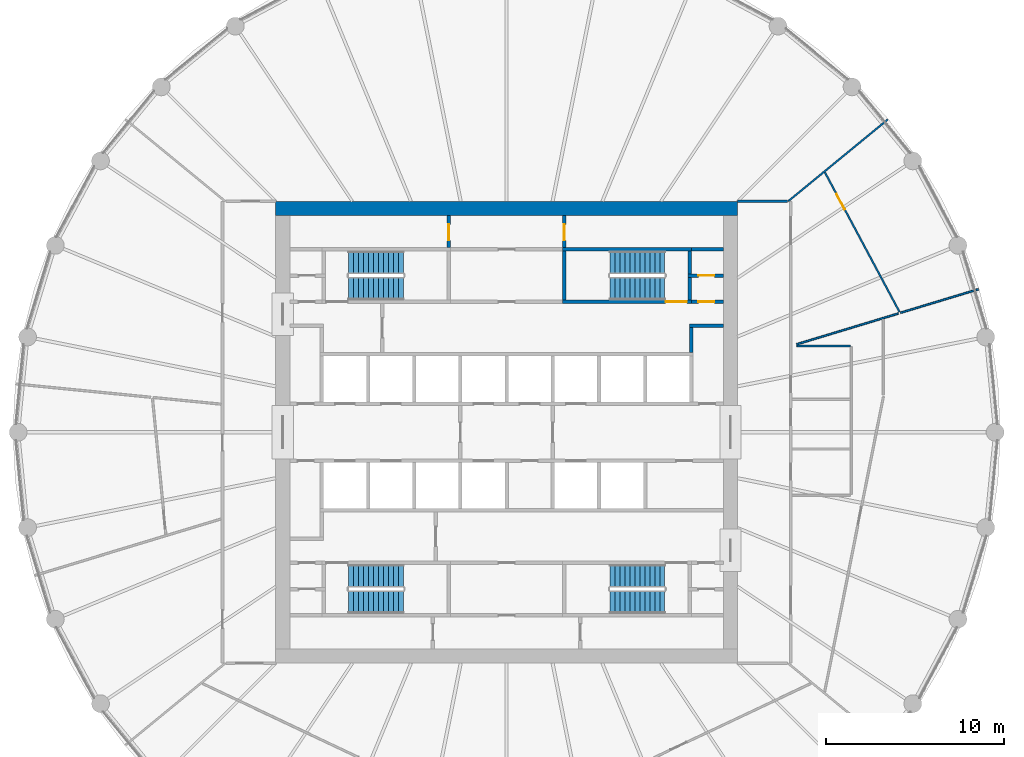
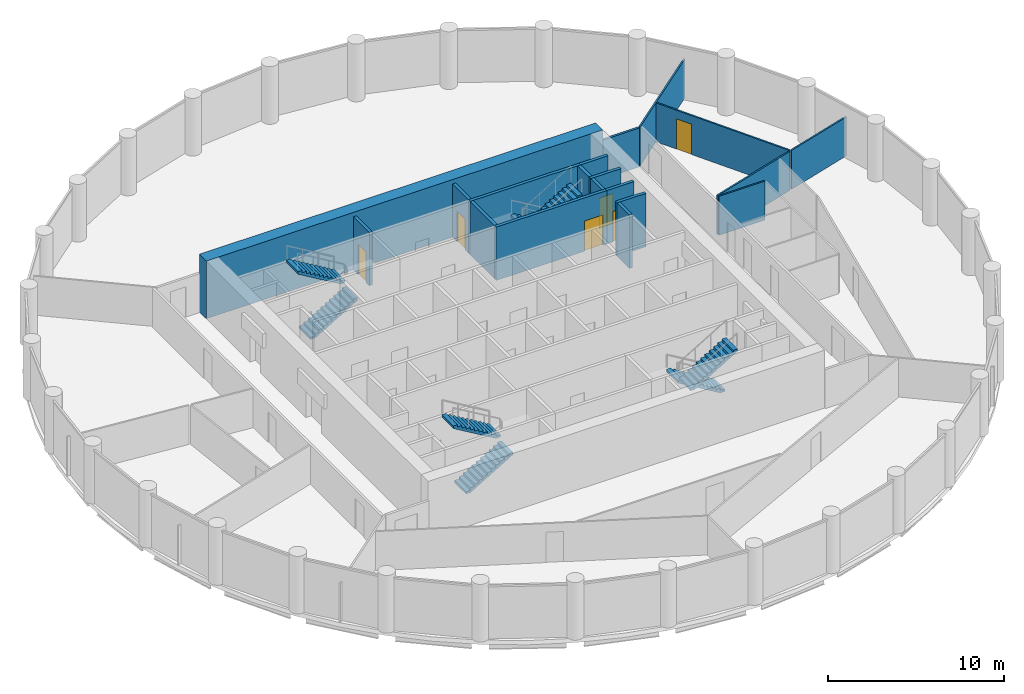
# One storey, part 7 of 8: 19 walls, 8 stair flights, 6 doors, 6 openings, 4 elements without a shape of their own.
"""IFC4 building model written with IfcOpenShell, lengths in metres."""

from ifc_helpers import new_model, si_unit, direction, frame, frame_2d, origin, place, context, subcontext, project, spatial, polyline, rectangle, outline, extrude, material, layer, layer_set, type_object, element, fill, aggregate, save


model = new_model("IFC4")

# Units and contexts
model_context = context("Model", 3, precision=1e-05, world=origin(), true_north=direction((0.0, 1.0)))
body_context = subcontext(model_context, "Body", "Model", "MODEL_VIEW")
ifc_project = project(units=[si_unit("LENGTHUNIT", "METRE"), si_unit("AREAUNIT", "SQUARE_METRE"), si_unit("VOLUMEUNIT", "CUBIC_METRE"), si_unit("PLANEANGLEUNIT", "RADIAN"), si_unit("MASSUNIT", "GRAM", prefix="KILO")], contexts=[model_context])

# Site, building, storey
site_placement = place(None, origin())
site = spatial("IfcSite", under=ifc_project, at=site_placement, CompositionType="ELEMENT")
building_placement = place(site_placement, origin())
building = spatial("IfcBuilding", under=site, at=building_placement, Name="Corvane Civic Tower", CompositionType="ELEMENT")
storey_placement = place(building_placement, frame((0.0, 0.0, 213.5)))
storey = spatial("IfcBuildingStorey", under=building, at=storey_placement, Name="L50", CompositionType="ELEMENT", Elevation=213.5)

# Wall
ifc_material_1 = material(Name="Concrete C50/60", Category="concrete")
ifc_layer_1 = layer(ifc_material_1, 0.800048828125)
ifc_layer_set_1 = layer_set([ifc_layer_1], Name="Concrete C50/60")
wall_type_1 = type_object("IfcWallType", Name="CORE WALL 800 C50/60", PredefinedType="SHEAR", material=ifc_layer_set_1)
wall_1_placement = place(storey_placement, frame((-13.0, 12.60009765625, 0.0), z_axis=(0.0, 0.0, 1.0), x_axis=(1.0, 0.0, 0.0)))
element("IfcWall", 1, at=wall_1_placement, inside=storey, type_object=wall_type_1, Name="W-L50-core-N", PredefinedType="SHEAR", context=body_context, shape_type="SweptSolid", body=[
    extrude(rectangle(XDim=26.0, YDim=0.800048828125, at=frame_2d((13.0, 0.0))), origin(), (0.0, 0.0, 1.0), 4.0),
])

# Wall, opening, door
ifc_material_2 = material(Name="Concrete C30/37", Category="concrete")
ifc_layer_2 = layer(ifc_material_2, 0.199951171875)
ifc_layer_set_2 = layer_set([ifc_layer_2], Name="Concrete C30/37")
wall_type_2 = type_object("IfcWallType", Name="CR-WALL-200", PredefinedType="PARTITIONING", material=ifc_layer_set_2)
wall_2_placement = place(storey_placement, frame((10.39990234375, 7.35009765625, 0.0), z_axis=(0.0, 0.0, 1.0), x_axis=(1.0, 0.0, 0.0)))
wall_2 = element("IfcWall", 2, at=wall_2_placement, inside=storey, type_object=wall_type_2, Name="L50 core partition wall", PredefinedType="PARTITIONING", context=body_context, shape_type="SweptSolid", body=[
    extrude(rectangle(XDim=1.800048828125, YDim=0.199951171875, at=frame_2d((0.89990234375, 0.0))), origin(), (0.0, 0.0, 1.0), 3.699951171875),
])
opening_1_placement = place(wall_2_placement, frame((0.39990234375, 0.0, 0.0)))
opening_1 = element("IfcOpeningElement", 3, at=opening_1_placement, cuts=wall_2, Name="Opening L50.C18", PredefinedType="OPENING", context=body_context, shape_type="SweptSolid", body=[
    extrude(rectangle(XDim=0.89990234375, YDim=2.10009765625, at=frame_2d((0.449951171875, 1.050048828125))), frame((0.0, 0.10986328125, 0.0), z_axis=(0.0, -1.0, 0.0), x_axis=(1.0, 0.0, 0.0)), (0.0, 0.0, 1.0), 0.219970703125),
])
ifc_material_3 = material(Name="Steel fire door leaf", Category="steel")
door_type_1 = type_object("IfcDoorType", Name="CR-DOOR-900", OperationType="SINGLE_SWING_LEFT", PredefinedType="DOOR", material=ifc_material_3)
door_1_placement = place(opening_1_placement, origin())
door_1 = element("IfcDoor", 4, at=door_1_placement, inside=storey, type_object=door_type_1, Name="L50 door", OperationType="SINGLE_SWING_LEFT", OverallHeight=2.10009765625, OverallWidth=0.89990234375, PredefinedType="DOOR", context=body_context, shape_type="SweptSolid", body=[
    extrude(rectangle(XDim=0.89990234375, YDim=2.10009765625, at=frame_2d((0.449951171875, 1.050048828125))), frame((0.0, 0.02490234375, 0.0), z_axis=(0.0, -1.0, 0.0), x_axis=(1.0, 0.0, 0.0)), (0.0, 0.0, 1.0), 0.050048828125),
])
fill(opening_1, door_1)

wall_3_placement = place(storey_placement, frame((10.199951171875, 8.824951171875, 0.0), z_axis=(0.0, 0.0, 1.0), x_axis=(1.0, 0.0, 0.0)))
wall_3 = element("IfcWall", 5, at=wall_3_placement, inside=storey, type_object=wall_type_2, Name="L50 partition wall", PredefinedType="PARTITIONING", context=body_context, shape_type="SweptSolid", body=[
    extrude(rectangle(XDim=2.0, YDim=0.199951171875, at=frame_2d((1.0, 0.0))), origin(), (0.0, 0.0, 1.0), 3.699951171875),
])
opening_2_placement = place(wall_3_placement, frame((0.60009765625, 0.0, 0.0)))
opening_2 = element("IfcOpeningElement", 6, at=opening_2_placement, cuts=wall_3, Name="Opening L50.C19", PredefinedType="OPENING", context=body_context, shape_type="SweptSolid", body=[
    extrude(rectangle(XDim=0.89990234375, YDim=2.10009765625, at=frame_2d((0.449951171875, 1.050048828125))), frame((0.0, 0.10986328125, 0.0), z_axis=(0.0, -1.0, 0.0), x_axis=(1.0, 0.0, 0.0)), (0.0, 0.0, 1.0), 0.219970703125),
])
door_2_placement = place(opening_2_placement, origin())
door_2 = element("IfcDoor", 7, at=door_2_placement, inside=storey, type_object=door_type_1, Name="L50 door", OperationType="SINGLE_SWING_LEFT", OverallHeight=2.10009765625, OverallWidth=0.89990234375, PredefinedType="DOOR", context=body_context, shape_type="SweptSolid", body=[
    extrude(rectangle(XDim=0.89990234375, YDim=2.10009765625, at=frame_2d((0.449951171875, 1.050048828125))), frame((0.0, 0.02490234375, 0.0), z_axis=(0.0, -1.0, 0.0), x_axis=(1.0, 0.0, 0.0)), (0.0, 0.0, 1.0), 0.050048828125),
])
fill(opening_2, door_2)

wall_4_placement = place(storey_placement, frame((-3.25, 10.39990234375, 0.0), z_axis=(0.0, 0.0, 1.0), x_axis=(0.0, 1.0, 0.0)))
wall_4 = element("IfcWall", 8, at=wall_4_placement, inside=storey, type_object=wall_type_2, Name="L50 partition wall", PredefinedType="PARTITIONING", context=body_context, shape_type="SweptSolid", body=[
    extrude(rectangle(XDim=1.800048828125, YDim=0.199951171875, at=frame_2d((0.89990234375, 0.0))), origin(), (0.0, 0.0, 1.0), 3.699951171875),
])
opening_3_placement = place(wall_4_placement, frame((0.39990234375, 0.0, 0.0)))
opening_3 = element("IfcOpeningElement", 9, at=opening_3_placement, cuts=wall_4, Name="Opening L50.C08", PredefinedType="OPENING", context=body_context, shape_type="SweptSolid", body=[
    extrude(rectangle(XDim=0.89990234375, YDim=2.10009765625, at=frame_2d((0.449951171875, 1.050048828125))), frame((0.0, 0.10986328125, 0.0), z_axis=(0.0, -1.0, 0.0), x_axis=(1.0, 0.0, 0.0)), (0.0, 0.0, 1.0), 0.219970703125),
])
door_3_placement = place(opening_3_placement, origin())
door_3 = element("IfcDoor", 10, at=door_3_placement, inside=storey, type_object=door_type_1, Name="L50 door", OperationType="SINGLE_SWING_LEFT", OverallHeight=2.10009765625, OverallWidth=0.89990234375, PredefinedType="DOOR", context=body_context, shape_type="SweptSolid", body=[
    extrude(rectangle(XDim=0.89990234375, YDim=2.10009765625, at=frame_2d((0.449951171875, 1.050048828125))), frame((0.0, 0.02490234375, 0.0), z_axis=(0.0, -1.0, 0.0), x_axis=(1.0, 0.0, 0.0)), (0.0, 0.0, 1.0), 0.050048828125),
])
fill(opening_3, door_3)

wall_5_placement = place(storey_placement, frame((3.25, 10.39990234375, 0.0), z_axis=(0.0, 0.0, 1.0), x_axis=(0.0, 1.0, 0.0)))
wall_5 = element("IfcWall", 11, at=wall_5_placement, inside=storey, type_object=wall_type_2, Name="L50 partition wall", PredefinedType="PARTITIONING", context=body_context, shape_type="SweptSolid", body=[
    extrude(rectangle(XDim=1.800048828125, YDim=0.199951171875, at=frame_2d((0.89990234375, 0.0))), origin(), (0.0, 0.0, 1.0), 3.699951171875),
])
opening_4_placement = place(wall_5_placement, frame((0.39990234375, 0.0, 0.0)))
opening_4 = element("IfcOpeningElement", 12, at=opening_4_placement, cuts=wall_5, Name="Opening L50.C10", PredefinedType="OPENING", context=body_context, shape_type="SweptSolid", body=[
    extrude(rectangle(XDim=0.89990234375, YDim=2.10009765625, at=frame_2d((0.449951171875, 1.050048828125))), frame((0.0, 0.10986328125, 0.0), z_axis=(0.0, -1.0, 0.0), x_axis=(1.0, 0.0, 0.0)), (0.0, 0.0, 1.0), 0.219970703125),
])
door_4_placement = place(opening_4_placement, origin())
door_4 = element("IfcDoor", 13, at=door_4_placement, inside=storey, type_object=door_type_1, Name="L50 door", OperationType="SINGLE_SWING_LEFT", OverallHeight=2.10009765625, OverallWidth=0.89990234375, PredefinedType="DOOR", context=body_context, shape_type="SweptSolid", body=[
    extrude(rectangle(XDim=0.89990234375, YDim=2.10009765625, at=frame_2d((0.449951171875, 1.050048828125))), frame((0.0, 0.02490234375, 0.0), z_axis=(0.0, -1.0, 0.0), x_axis=(1.0, 0.0, 0.0)), (0.0, 0.0, 1.0), 0.050048828125),
])
fill(opening_4, door_4)

# Walls
wall_6_placement = place(storey_placement, origin())
element("IfcWall", 14, at=wall_6_placement, inside=storey, type_object=wall_type_2, Name="L50 core partition wall", PredefinedType="PARTITIONING", context=body_context, shape_type="SweptSolid", body=[
    extrude(outline(polyline([(12.199951171875, 5.89990234375), (10.300048828125, 5.89990234375), (10.300048828125, 6.10009765625), (12.199951171875, 6.10009765625), (12.199951171875, 5.89990234375)])), origin(), (0.0, 0.0, 1.0), 3.699951171875),
])
wall_7_placement = place(storey_placement, origin())
element("IfcWall", 15, at=wall_7_placement, inside=storey, type_object=wall_type_2, Name="L50 core partition wall", PredefinedType="PARTITIONING", context=body_context, shape_type="SweptSolid", body=[
    extrude(outline(polyline([(10.5, 4.5), (10.300048828125, 4.5), (10.300048828125, 5.89990234375), (10.5, 5.89990234375), (10.5, 4.5)])), origin(), (0.0, 0.0, 1.0), 3.699951171875),
])
wall_8_placement = place(storey_placement, origin())
element("IfcWall", 16, at=wall_8_placement, inside=storey, type_object=wall_type_2, Name="L50 core partition wall", PredefinedType="PARTITIONING", context=body_context, shape_type="SweptSolid", body=[
    extrude(outline(polyline([(10.39990234375, 10.199951171875), (10.39990234375, 10.39990234375), (12.199951171875, 10.39990234375), (12.199951171875, 10.199951171875), (10.39990234375, 10.199951171875)])), origin(), (0.0, 0.0, 1.0), 3.699951171875),
])
ifc_material_4 = material(Name="Plasterboard")
ifc_layer_3 = layer(ifc_material_4, 0.10009765625)
ifc_layer_set_3 = layer_set([ifc_layer_3], Name="Plasterboard")
wall_type_3 = type_object("IfcWallType", Name="Partition 100 plasterboard on studs", PredefinedType="PARTITIONING", material=ifc_layer_set_3)
wall_9_placement = place(storey_placement, frame((16.337158203125, 4.853515625, 0.0), z_axis=(0.0, 0.0, 1.0), x_axis=(1.0, 0.0, 0.0)))
element("IfcWall", 17, at=wall_9_placement, inside=storey, type_object=wall_type_3, Name="Partition L50.021", PredefinedType="PARTITIONING", context=body_context, shape_type="SweptSolid", body=[
    extrude(rectangle(XDim=3.012939453125, YDim=0.10009765625, at=frame_2d((1.50634765625, 0.0))), origin(), (0.0, 0.0, 1.0), 2.699951171875),
])
wall_10_placement = place(storey_placement, frame((16.325927734375, 4.952392578125, 0.0), z_axis=(0.0, 0.0, 1.0), x_axis=(0.956943355417, 0.2902747225, 0.0)))
element("IfcWall", 18, at=wall_10_placement, inside=storey, type_object=wall_type_3, Name="Partition L50.022", PredefinedType="PARTITIONING", context=body_context, shape_type="SweptSolid", body=[
    extrude(rectangle(XDim=5.981689453125, YDim=0.10009765625, at=frame_2d((2.99072265625, 0.0))), origin(), (0.0, 0.0, 1.0), 2.699951171875),
])
wall_11_placement = place(storey_placement, frame((22.177490234375, 6.7275390625, 0.0), z_axis=(0.0, 0.0, 1.0), x_axis=(0.95694941846, 0.290254733828, 0.0)))
element("IfcWall", 19, at=wall_11_placement, inside=storey, type_object=wall_type_3, Name="Partition L50.023", PredefinedType="PARTITIONING", context=body_context, shape_type="SweptSolid", body=[
    extrude(rectangle(XDim=4.574951171875, YDim=0.10009765625, at=frame_2d((2.28759765625, 0.0))), origin(), (0.0, 0.0, 1.0), 2.699951171875),
])

# Wall, opening, door
wall_12_placement = place(storey_placement, frame((17.919921875, 14.629150390625, 0.0), z_axis=(0.0, 0.0, 1.0), x_axis=(0.471383151243, -0.881928525859, 0.0)))
wall_12 = element("IfcWall", 20, at=wall_12_placement, inside=storey, type_object=wall_type_3, Name="Partition L50.024", PredefinedType="PARTITIONING", context=body_context, shape_type="SweptSolid", body=[
    extrude(rectangle(XDim=8.90869140625, YDim=0.10009765625, at=frame_2d((4.454345703125, 0.0))), origin(), (0.0, 0.0, 1.0), 2.699951171875),
])
opening_5_placement = place(wall_12_placement, frame((1.368408203125, 0.0, 0.0)))
opening_5 = element("IfcOpeningElement", 21, at=opening_5_placement, cuts=wall_12, Name="Opening L50.006", PredefinedType="OPENING", context=body_context, shape_type="SweptSolid", body=[
    extrude(rectangle(XDim=1.0, YDim=2.10009765625, at=frame_2d((0.5, 1.050048828125))), frame((0.0, 0.06005859375, 0.0), z_axis=(0.0, -1.0, 0.0), x_axis=(1.0, 0.0, 0.0)), (0.0, 0.0, 1.0), 0.1201171875),
])
ifc_material_5 = material(Name="Timber", Category="wood")
door_type_2 = type_object("IfcDoorType", Name="Single door 1000", OperationType="NOTDEFINED", PredefinedType="DOOR", material=ifc_material_5)
door_5_placement = place(opening_5_placement, origin())
door_5 = element("IfcDoor", 22, at=door_5_placement, inside=storey, type_object=door_type_2, Name="Door L50.006", OperationType="SINGLE_SWING_RIGHT", OverallHeight=2.10009765625, OverallWidth=1.0, PredefinedType="DOOR", context=body_context, shape_type="SweptSolid", body=[
    extrude(rectangle(XDim=1.0, YDim=2.10009765625, at=frame_2d((0.5, 1.050048828125))), frame((0.0, 0.02490234375, 0.0), z_axis=(0.0, -1.0, 0.0), x_axis=(1.0, 0.0, 0.0)), (0.0, 0.0, 1.0), 0.050048828125),
])
fill(opening_5, door_5)

# Wall
wall_13_placement = place(storey_placement, frame((15.8544921875, 13.01123046875, 0.0), z_axis=(0.0, 0.0, 1.0), x_axis=(0.772997895748, 0.634408585352, 0.0)))
element("IfcWall", 23, at=wall_13_placement, inside=storey, type_object=wall_type_3, Name="Partition L50.028", PredefinedType="PARTITIONING", context=body_context, shape_type="SweptSolid", body=[
    extrude(rectangle(XDim=7.240234375, YDim=0.10009765625, at=frame_2d((3.6201171875, 0.0))), origin(), (0.0, 0.0, 1.0), 2.699951171875),
])

# Wall, opening, door
ifc_material_6 = material(Name="Concrete C50/60", Category="concrete")
ifc_layer_4 = layer(ifc_material_6, 0.199951171875)
ifc_layer_set_4 = layer_set([ifc_layer_4], Name="Concrete C50/60")
wall_type_4 = type_object("IfcWallType", Name="ST-WALL-200", PredefinedType="SHEAR", material=ifc_layer_set_4)
wall_14_placement = place(storey_placement, frame((3.14990234375, 7.35009765625, 0.0), z_axis=(0.0, 0.0, 1.0), x_axis=(1.0, 0.0, 0.0)))
wall_14 = element("IfcWall", 24, at=wall_14_placement, inside=storey, type_object=wall_type_4, Name="L50 stair enclosure wall", PredefinedType="SHEAR", context=body_context, shape_type="SweptSolid", body=[
    extrude(rectangle(XDim=7.25, YDim=0.199951171875, at=frame_2d((3.625, 0.0))), origin(), (0.0, 0.0, 1.0), 3.699951171875),
])
opening_6_placement = place(wall_14_placement, frame((5.800048828125, 0.0, 0.0)))
opening_6 = element("IfcOpeningElement", 25, at=opening_6_placement, cuts=wall_14, Name="Opening L50.C22", PredefinedType="OPENING", context=body_context, shape_type="SweptSolid", body=[
    extrude(rectangle(XDim=1.199951171875, YDim=2.10009765625, at=frame_2d((0.60009765625, 1.050048828125))), frame((0.0, 0.10986328125, 0.0), z_axis=(0.0, -1.0, 0.0), x_axis=(1.0, 0.0, 0.0)), (0.0, 0.0, 1.0), 0.219970703125),
])
ifc_material_7 = material(Name="Steel fire door leaf", Category="steel")
door_type_3 = type_object("IfcDoorType", Name="ST-DOOR-1200", OperationType="SINGLE_SWING_RIGHT", PredefinedType="DOOR", material=ifc_material_7)
door_6_placement = place(opening_6_placement, origin())
door_6 = element("IfcDoor", 26, at=door_6_placement, inside=storey, type_object=door_type_3, Name="L50 stair door", OperationType="SINGLE_SWING_RIGHT", OverallHeight=2.10009765625, OverallWidth=1.199951171875, PredefinedType="DOOR", context=body_context, shape_type="SweptSolid", body=[
    extrude(rectangle(XDim=1.199951171875, YDim=2.10009765625, at=frame_2d((0.60009765625, 1.050048828125))), frame((0.0, 0.02490234375, 0.0), z_axis=(0.0, -1.0, 0.0), x_axis=(1.0, 0.0, 0.0)), (0.0, 0.0, 1.0), 0.050048828125),
])
fill(opening_6, door_6)

# Walls
wall_15_placement = place(storey_placement, origin())
element("IfcWall", 27, at=wall_15_placement, inside=storey, type_object=wall_type_4, Name="L50 stair enclosure wall", PredefinedType="SHEAR", context=body_context, shape_type="SweptSolid", body=[
    extrude(outline(polyline([(10.39990234375, 10.199951171875), (3.14990234375, 10.199951171875), (3.14990234375, 10.39990234375), (10.39990234375, 10.39990234375), (10.39990234375, 10.199951171875)])), origin(), (0.0, 0.0, 1.0), 3.699951171875),
])
wall_16_placement = place(storey_placement, origin())
element("IfcWall", 28, at=wall_16_placement, inside=storey, type_object=wall_type_4, Name="L50 stair enclosure wall", PredefinedType="SHEAR", context=body_context, shape_type="SweptSolid", body=[
    extrude(outline(polyline([(3.35009765625, 7.449951171875), (3.14990234375, 7.449951171875), (3.14990234375, 10.199951171875), (3.35009765625, 10.199951171875), (3.35009765625, 7.449951171875)])), origin(), (0.0, 0.0, 1.0), 3.699951171875),
])
wall_17_placement = place(storey_placement, origin())
element("IfcWall", 29, at=wall_17_placement, inside=storey, type_object=wall_type_4, Name="L50 stair enclosure wall", PredefinedType="SHEAR", context=body_context, shape_type="SweptSolid", body=[
    extrude(outline(polyline([(10.39990234375, 8.72509765625), (10.39990234375, 7.449951171875), (10.199951171875, 7.449951171875), (10.199951171875, 8.72509765625), (10.39990234375, 8.72509765625)])), origin(), (0.0, 0.0, 1.0), 3.699951171875),
])
wall_18_placement = place(storey_placement, origin())
element("IfcWall", 30, at=wall_18_placement, inside=storey, type_object=wall_type_4, Name="L50 stair enclosure wall", PredefinedType="SHEAR", context=body_context, shape_type="SweptSolid", body=[
    extrude(outline(polyline([(10.39990234375, 8.925048828125), (10.199951171875, 8.925048828125), (10.199951171875, 10.199951171875), (10.39990234375, 10.199951171875), (10.39990234375, 8.925048828125)])), origin(), (0.0, 0.0, 1.0), 3.699951171875),
])
ifc_material_8 = material(Name="Plasterboard")
ifc_layer_5 = layer(ifc_material_8, 0.14990234375)
ifc_layer_set_5 = layer_set([ifc_layer_5], Name="Plasterboard")
wall_type_5 = type_object("IfcWallType", Name="Tenancy wall 150 EI 60", PredefinedType="PARTITIONING", material=ifc_layer_set_5)
wall_19_placement = place(storey_placement, frame((12.989990234375, 13.0, 0.0), z_axis=(0.0, 0.0, 1.0), x_axis=(1.0, 0.0, 0.0)))
element("IfcWall", 31, at=wall_19_placement, inside=storey, type_object=wall_type_5, Name="Partition L50.026", PredefinedType="PARTITIONING", context=body_context, shape_type="SweptSolid", body=[
    extrude(rectangle(XDim=2.82373046875, YDim=0.14990234375, at=frame_2d((1.411865234375, 0.0))), origin(), (0.0, 0.0, 1.0), 2.699951171875),
])

# Stair, stair flights
ifc_material_9 = material(Name="Concrete C40/50", Category="concrete")
stair_type = type_object("IfcStairType", Name="ST-STAIR-HALFTURN", PredefinedType="HALF_TURN_STAIR", material=ifc_material_9)
stair_1_placement = place(storey_placement, origin())
stair_1 = element("IfcStair", 32, at=stair_1_placement, inside=storey, type_object=stair_type, Name="L50 Exit stair ST1", PredefinedType="HALF_TURN_STAIR")
ifc_material_10 = material(Name="Concrete C40/50", Category="concrete")
stair_flight_type = type_object("IfcStairFlightType", Name="ST-FLIGHT-RC", PredefinedType="STRAIGHT", material=ifc_material_10)
stair_flight_1_placement = place(storey_placement, frame((8.89990234375, 9.550048828125, 0.0), z_axis=(0.0, 0.0, 1.0), x_axis=(-1.0, 0.0, 0.0)))
stair_flight_1 = element("IfcStairFlight", 33, at=stair_flight_1_placement, type_object=stair_flight_type, Name="ST1 flight 1", NumberOfRisers=12, NumberOfTreads=11, PredefinedType="STRAIGHT", RiserHeight=0.166666667, TreadLength=0.28, context=body_context, shape_type="SweptSolid", body=[
    extrude(outline(polyline([(0.0, 0.0), (0.0, 0.166748046875), (0.280029296875, 0.166748046875), (0.280029296875, 0.333251953125), (0.56005859375, 0.333251953125), (0.56005859375, 0.5), (0.840087890625, 0.5), (0.840087890625, 0.666748046875), (1.1201171875, 0.666748046875), (1.1201171875, 0.833251953125), (1.39990234375, 0.833251953125), (1.39990234375, 1.0), (1.679931640625, 1.0), (1.679931640625, 1.166748046875), (1.9599609375, 1.166748046875), (1.9599609375, 1.333251953125), (2.239990234375, 1.333251953125), (2.239990234375, 1.5), (2.52001953125, 1.5), (2.52001953125, 1.666748046875), (2.800048828125, 1.666748046875), (2.800048828125, 1.833251953125), (3.080078125, 1.833251953125), (3.080078125, 2.0), (3.080078125, 1.658935546875), (0.29296875, 0.0), (0.0, 0.0)])), frame((0.0, 0.64990234375, 0.0), z_axis=(0.0, -1.0, 0.0), x_axis=(1.0, 0.0, 0.0)), (0.0, 0.0, 1.0), 1.300048828125),
])
stair_flight_2_placement = place(storey_placement, frame((5.820068359375, 8.10009765625, 2.0), z_axis=(0.0, 0.0, 1.0), x_axis=(1.0, 0.0, 0.0)))
stair_flight_2 = element("IfcStairFlight", 34, at=stair_flight_2_placement, type_object=stair_flight_type, Name="ST1 flight 2", NumberOfRisers=12, NumberOfTreads=11, PredefinedType="STRAIGHT", RiserHeight=0.166666667, TreadLength=0.28, context=body_context, shape_type="SweptSolid", body=[
    extrude(outline(polyline([(0.0, 0.0), (0.0, 0.166748046875), (0.280029296875, 0.166748046875), (0.280029296875, 0.333251953125), (0.56005859375, 0.333251953125), (0.56005859375, 0.5), (0.840087890625, 0.5), (0.840087890625, 0.666748046875), (1.1201171875, 0.666748046875), (1.1201171875, 0.833251953125), (1.39990234375, 0.833251953125), (1.39990234375, 1.0), (1.679931640625, 1.0), (1.679931640625, 1.166748046875), (1.9599609375, 1.166748046875), (1.9599609375, 1.333251953125), (2.239990234375, 1.333251953125), (2.239990234375, 1.5), (2.52001953125, 1.5), (2.52001953125, 1.666748046875), (2.800048828125, 1.666748046875), (2.800048828125, 1.833251953125), (3.080078125, 1.833251953125), (3.080078125, 2.0), (3.080078125, 1.658935546875), (0.29296875, 0.0), (0.0, 0.0)])), frame((0.0, 0.64990234375, 0.0), z_axis=(0.0, -1.0, 0.0), x_axis=(1.0, 0.0, 0.0)), (0.0, 0.0, 1.0), 1.300048828125),
])
aggregate(stair_1, [stair_flight_1, stair_flight_2])

stair_2_placement = place(storey_placement, origin())
stair_2 = element("IfcStair", 35, at=stair_2_placement, inside=storey, type_object=stair_type, Name="L50 Exit stair ST2", PredefinedType="HALF_TURN_STAIR")
stair_flight_3_placement = place(storey_placement, frame((8.89990234375, -8.10009765625, 0.0), z_axis=(0.0, 0.0, 1.0), x_axis=(-1.0, 0.0, 0.0)))
stair_flight_3 = element("IfcStairFlight", 36, at=stair_flight_3_placement, type_object=stair_flight_type, Name="ST2 flight 1", NumberOfRisers=12, NumberOfTreads=11, PredefinedType="STRAIGHT", RiserHeight=0.166666667, TreadLength=0.28, context=body_context, shape_type="SweptSolid", body=[
    extrude(outline(polyline([(0.0, 0.0), (0.0, 0.166748046875), (0.280029296875, 0.166748046875), (0.280029296875, 0.333251953125), (0.56005859375, 0.333251953125), (0.56005859375, 0.5), (0.840087890625, 0.5), (0.840087890625, 0.666748046875), (1.1201171875, 0.666748046875), (1.1201171875, 0.833251953125), (1.39990234375, 0.833251953125), (1.39990234375, 1.0), (1.679931640625, 1.0), (1.679931640625, 1.166748046875), (1.9599609375, 1.166748046875), (1.9599609375, 1.333251953125), (2.239990234375, 1.333251953125), (2.239990234375, 1.5), (2.52001953125, 1.5), (2.52001953125, 1.666748046875), (2.800048828125, 1.666748046875), (2.800048828125, 1.833251953125), (3.080078125, 1.833251953125), (3.080078125, 2.0), (3.080078125, 1.658935546875), (0.29296875, 0.0), (0.0, 0.0)])), frame((0.0, 0.64990234375, 0.0), z_axis=(0.0, -1.0, 0.0), x_axis=(1.0, 0.0, 0.0)), (0.0, 0.0, 1.0), 1.300048828125),
])
stair_flight_4_placement = place(storey_placement, frame((5.820068359375, -9.550048828125, 2.0), z_axis=(0.0, 0.0, 1.0), x_axis=(1.0, 0.0, 0.0)))
stair_flight_4 = element("IfcStairFlight", 37, at=stair_flight_4_placement, type_object=stair_flight_type, Name="ST2 flight 2", NumberOfRisers=12, NumberOfTreads=11, PredefinedType="STRAIGHT", RiserHeight=0.166666667, TreadLength=0.28, context=body_context, shape_type="SweptSolid", body=[
    extrude(outline(polyline([(0.0, 0.0), (0.0, 0.166748046875), (0.280029296875, 0.166748046875), (0.280029296875, 0.333251953125), (0.56005859375, 0.333251953125), (0.56005859375, 0.5), (0.840087890625, 0.5), (0.840087890625, 0.666748046875), (1.1201171875, 0.666748046875), (1.1201171875, 0.833251953125), (1.39990234375, 0.833251953125), (1.39990234375, 1.0), (1.679931640625, 1.0), (1.679931640625, 1.166748046875), (1.9599609375, 1.166748046875), (1.9599609375, 1.333251953125), (2.239990234375, 1.333251953125), (2.239990234375, 1.5), (2.52001953125, 1.5), (2.52001953125, 1.666748046875), (2.800048828125, 1.666748046875), (2.800048828125, 1.833251953125), (3.080078125, 1.833251953125), (3.080078125, 2.0), (3.080078125, 1.658935546875), (0.29296875, 0.0), (0.0, 0.0)])), frame((0.0, 0.64990234375, 0.0), z_axis=(0.0, -1.0, 0.0), x_axis=(1.0, 0.0, 0.0)), (0.0, 0.0, 1.0), 1.300048828125),
])
aggregate(stair_2, [stair_flight_3, stair_flight_4])

stair_3_placement = place(storey_placement, origin())
stair_3 = element("IfcStair", 38, at=stair_3_placement, inside=storey, type_object=stair_type, Name="L50 Exit stair ST3", PredefinedType="HALF_TURN_STAIR")
stair_flight_5_placement = place(storey_placement, frame((-8.89990234375, -9.550048828125, 0.0), z_axis=(0.0, 0.0, 1.0), x_axis=(1.0, 0.0, 0.0)))
stair_flight_5 = element("IfcStairFlight", 39, at=stair_flight_5_placement, type_object=stair_flight_type, Name="ST3 flight 1", NumberOfRisers=12, NumberOfTreads=11, PredefinedType="STRAIGHT", RiserHeight=0.166666667, TreadLength=0.28, context=body_context, shape_type="SweptSolid", body=[
    extrude(outline(polyline([(0.0, 0.0), (0.0, 0.166748046875), (0.280029296875, 0.166748046875), (0.280029296875, 0.333251953125), (0.56005859375, 0.333251953125), (0.56005859375, 0.5), (0.840087890625, 0.5), (0.840087890625, 0.666748046875), (1.1201171875, 0.666748046875), (1.1201171875, 0.833251953125), (1.39990234375, 0.833251953125), (1.39990234375, 1.0), (1.679931640625, 1.0), (1.679931640625, 1.166748046875), (1.9599609375, 1.166748046875), (1.9599609375, 1.333251953125), (2.239990234375, 1.333251953125), (2.239990234375, 1.5), (2.52001953125, 1.5), (2.52001953125, 1.666748046875), (2.800048828125, 1.666748046875), (2.800048828125, 1.833251953125), (3.080078125, 1.833251953125), (3.080078125, 2.0), (3.080078125, 1.658935546875), (0.29296875, 0.0), (0.0, 0.0)])), frame((0.0, 0.64990234375, 0.0), z_axis=(0.0, -1.0, 0.0), x_axis=(1.0, 0.0, 0.0)), (0.0, 0.0, 1.0), 1.300048828125),
])
stair_flight_6_placement = place(storey_placement, frame((-5.820068359375, -8.10009765625, 2.0), z_axis=(0.0, 0.0, 1.0), x_axis=(-1.0, 0.0, 0.0)))
stair_flight_6 = element("IfcStairFlight", 40, at=stair_flight_6_placement, type_object=stair_flight_type, Name="ST3 flight 2", NumberOfRisers=12, NumberOfTreads=11, PredefinedType="STRAIGHT", RiserHeight=0.166666667, TreadLength=0.28, context=body_context, shape_type="SweptSolid", body=[
    extrude(outline(polyline([(0.0, 0.0), (0.0, 0.166748046875), (0.280029296875, 0.166748046875), (0.280029296875, 0.333251953125), (0.56005859375, 0.333251953125), (0.56005859375, 0.5), (0.840087890625, 0.5), (0.840087890625, 0.666748046875), (1.1201171875, 0.666748046875), (1.1201171875, 0.833251953125), (1.39990234375, 0.833251953125), (1.39990234375, 1.0), (1.679931640625, 1.0), (1.679931640625, 1.166748046875), (1.9599609375, 1.166748046875), (1.9599609375, 1.333251953125), (2.239990234375, 1.333251953125), (2.239990234375, 1.5), (2.52001953125, 1.5), (2.52001953125, 1.666748046875), (2.800048828125, 1.666748046875), (2.800048828125, 1.833251953125), (3.080078125, 1.833251953125), (3.080078125, 2.0), (3.080078125, 1.658935546875), (0.29296875, 0.0), (0.0, 0.0)])), frame((0.0, 0.64990234375, 0.0), z_axis=(0.0, -1.0, 0.0), x_axis=(1.0, 0.0, 0.0)), (0.0, 0.0, 1.0), 1.300048828125),
])
aggregate(stair_3, [stair_flight_5, stair_flight_6])

stair_4_placement = place(storey_placement, origin())
stair_4 = element("IfcStair", 41, at=stair_4_placement, inside=storey, type_object=stair_type, Name="L50 Exit stair ST4", PredefinedType="HALF_TURN_STAIR")
stair_flight_7_placement = place(storey_placement, frame((-8.89990234375, 8.10009765625, 0.0), z_axis=(0.0, 0.0, 1.0), x_axis=(1.0, 0.0, 0.0)))
stair_flight_7 = element("IfcStairFlight", 42, at=stair_flight_7_placement, type_object=stair_flight_type, Name="ST4 flight 1", NumberOfRisers=12, NumberOfTreads=11, PredefinedType="STRAIGHT", RiserHeight=0.166666667, TreadLength=0.28, context=body_context, shape_type="SweptSolid", body=[
    extrude(outline(polyline([(0.0, 0.0), (0.0, 0.166748046875), (0.280029296875, 0.166748046875), (0.280029296875, 0.333251953125), (0.56005859375, 0.333251953125), (0.56005859375, 0.5), (0.840087890625, 0.5), (0.840087890625, 0.666748046875), (1.1201171875, 0.666748046875), (1.1201171875, 0.833251953125), (1.39990234375, 0.833251953125), (1.39990234375, 1.0), (1.679931640625, 1.0), (1.679931640625, 1.166748046875), (1.9599609375, 1.166748046875), (1.9599609375, 1.333251953125), (2.239990234375, 1.333251953125), (2.239990234375, 1.5), (2.52001953125, 1.5), (2.52001953125, 1.666748046875), (2.800048828125, 1.666748046875), (2.800048828125, 1.833251953125), (3.080078125, 1.833251953125), (3.080078125, 2.0), (3.080078125, 1.658935546875), (0.29296875, 0.0), (0.0, 0.0)])), frame((0.0, 0.64990234375, 0.0), z_axis=(0.0, -1.0, 0.0), x_axis=(1.0, 0.0, 0.0)), (0.0, 0.0, 1.0), 1.300048828125),
])
stair_flight_8_placement = place(storey_placement, frame((-5.820068359375, 9.550048828125, 2.0), z_axis=(0.0, 0.0, 1.0), x_axis=(-1.0, 0.0, 0.0)))
stair_flight_8 = element("IfcStairFlight", 43, at=stair_flight_8_placement, type_object=stair_flight_type, Name="ST4 flight 2", NumberOfRisers=12, NumberOfTreads=11, PredefinedType="STRAIGHT", RiserHeight=0.166666667, TreadLength=0.28, context=body_context, shape_type="SweptSolid", body=[
    extrude(outline(polyline([(0.0, 0.0), (0.0, 0.166748046875), (0.280029296875, 0.166748046875), (0.280029296875, 0.333251953125), (0.56005859375, 0.333251953125), (0.56005859375, 0.5), (0.840087890625, 0.5), (0.840087890625, 0.666748046875), (1.1201171875, 0.666748046875), (1.1201171875, 0.833251953125), (1.39990234375, 0.833251953125), (1.39990234375, 1.0), (1.679931640625, 1.0), (1.679931640625, 1.166748046875), (1.9599609375, 1.166748046875), (1.9599609375, 1.333251953125), (2.239990234375, 1.333251953125), (2.239990234375, 1.5), (2.52001953125, 1.5), (2.52001953125, 1.666748046875), (2.800048828125, 1.666748046875), (2.800048828125, 1.833251953125), (3.080078125, 1.833251953125), (3.080078125, 2.0), (3.080078125, 1.658935546875), (0.29296875, 0.0), (0.0, 0.0)])), frame((0.0, 0.64990234375, 0.0), z_axis=(0.0, -1.0, 0.0), x_axis=(1.0, 0.0, 0.0)), (0.0, 0.0, 1.0), 1.300048828125),
])
aggregate(stair_4, [stair_flight_7, stair_flight_8])

save(model, "model.ifc")
